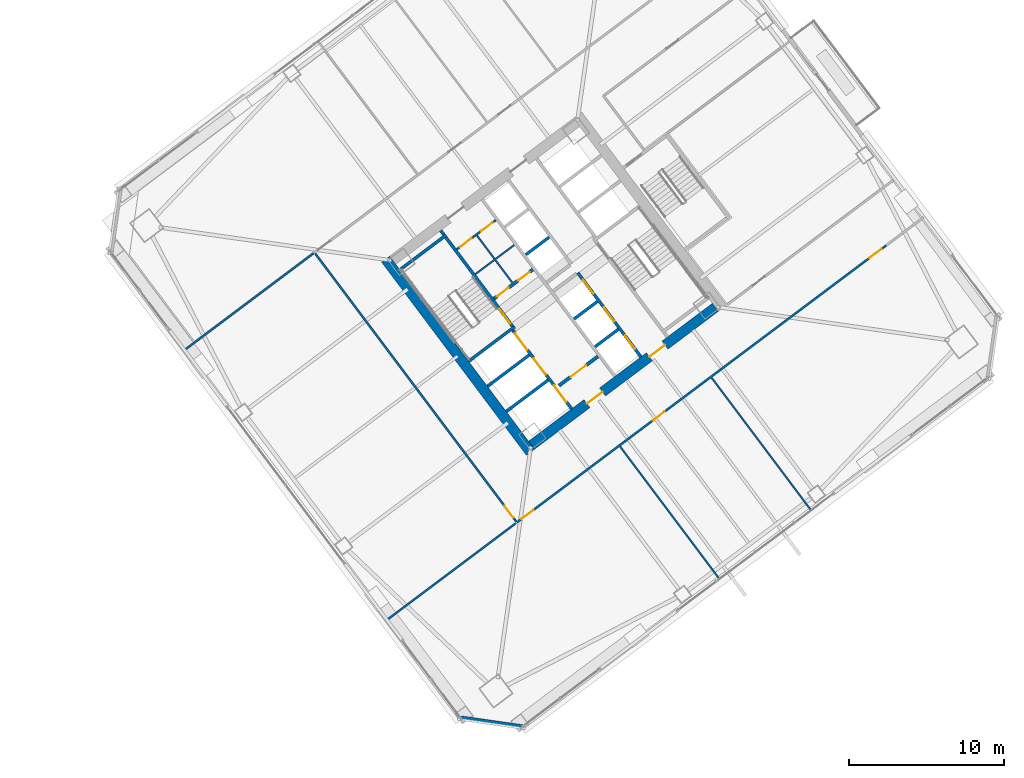
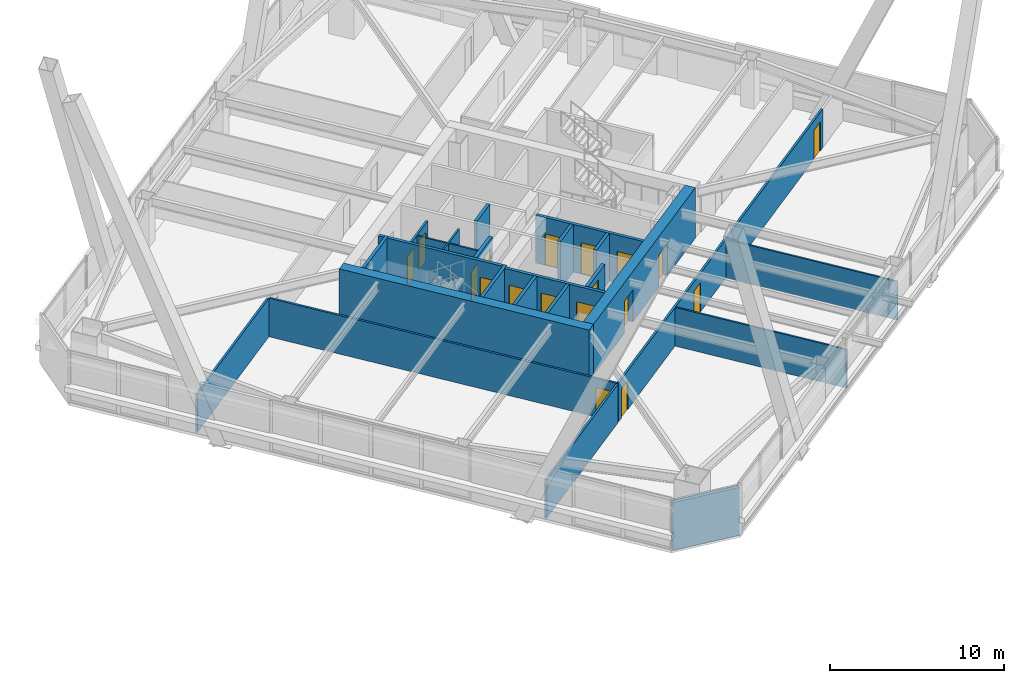
# One storey, part 64 of 75: 24 walls, 18 doors, 18 openings.
"""IFC4 building model written with IfcOpenShell, lengths in metres."""

from ifc_helpers import new_model, si_unit, direction, frame, frame_2d, origin, place, context, subcontext, project, spatial, rectangle, extrude, material, layer, layer_set, type_object, element, fill, save


model = new_model("IFC4")

# Units and contexts
model_context = context("Model", 3, precision=1e-05, world=origin(), true_north=direction((0.0, 1.0)))
body_context = subcontext(model_context, "Body", "Model", "MODEL_VIEW")
ifc_project = project(units=[si_unit("LENGTHUNIT", "METRE"), si_unit("AREAUNIT", "SQUARE_METRE"), si_unit("VOLUMEUNIT", "CUBIC_METRE"), si_unit("PLANEANGLEUNIT", "RADIAN"), si_unit("MASSUNIT", "GRAM", prefix="KILO")], contexts=[model_context])

# Site, building, storey
site_placement = place(None, origin())
site = spatial("IfcSite", under=ifc_project, at=site_placement, CompositionType="ELEMENT")
building_placement = place(site_placement, origin())
building = spatial("IfcBuilding", under=site, at=building_placement, Name="Tashvorn Skyway Center", CompositionType="ELEMENT")
storey_placement = place(building_placement, frame((0.0, 0.0, 45.89990234375)))
storey = spatial("IfcBuildingStorey", under=building, at=storey_placement, Name="L11", CompositionType="ELEMENT", Elevation=45.89990234375)

# Wall
ifc_material_1 = material(Name="Concrete C60/75", Category="concrete")
ifc_layer_1 = layer(ifc_material_1, 0.64990234375)
ifc_layer_set_1 = layer_set([ifc_layer_1], Name="Concrete C60/75")
wall_type_1 = type_object("IfcWallType", Name="WALL-CORE-650", PredefinedType="SHEAR", material=ifc_layer_set_1)
wall_1_placement = place(storey_placement, frame((112.47607421875, 21.10693359375, 0.0), z_axis=(0.0, 0.0, 1.0), x_axis=(-0.600005007985, 0.799996243986, 0.0)))
element("IfcWall", 1, at=wall_1_placement, inside=storey, type_object=wall_type_1, Name="Tower 2 L11 West Core Shear Wall", PredefinedType="SHEAR", context=body_context, shape_type="SweptSolid", body=[
    extrude(rectangle(XDim=15.60009765625, YDim=0.64990234375, at=frame_2d((7.800048828125, 0.0))), origin(), (0.0, 0.0, 1.0), 3.550048828125),
])

# Wall, openings, doors
wall_2_placement = place(storey_placement, frame((124.428955078125, 30.47802734375, 0.0), z_axis=(0.0, 0.0, 1.0), x_axis=(-0.799998028465, -0.600002628705, 0.0)))
wall_2 = element("IfcWall", 2, at=wall_2_placement, inside=storey, type_object=wall_type_1, Name="Tower 2 L11 South Core Shear Wall", PredefinedType="SHEAR", context=body_context, shape_type="SweptSolid", body=[
    extrude(rectangle(XDim=14.85986328125, YDim=0.64990234375, at=frame_2d((7.429931640625, 0.0))), origin(), (0.0, 0.0, 1.0), 3.550048828125),
])
opening_1_placement = place(wall_2_placement, frame((9.1298828125, 0.0, 0.0)))
opening_1 = element("IfcOpeningElement", 3, at=opening_1_placement, cuts=wall_2, Name="Opening D-FFL-1250", PredefinedType="OPENING", context=body_context, shape_type="SweptSolid", body=[
    extrude(rectangle(XDim=1.25, YDim=2.25, at=frame_2d((0.625, 1.125))), frame((0.0, 0.3349609375, 0.0), z_axis=(0.0, -1.0, 0.0), x_axis=(1.0, 0.0, 0.0)), (0.0, 0.0, 1.0), 0.669921875),
])
opening_2_placement = place(wall_2_placement, frame((4.080078125, 0.0, 0.0)))
opening_2 = element("IfcOpeningElement", 4, at=opening_2_placement, cuts=wall_2, Name="Opening D-FFL-1250", PredefinedType="OPENING", context=body_context, shape_type="SweptSolid", body=[
    extrude(rectangle(XDim=1.25, YDim=2.25, at=frame_2d((0.625, 1.125))), frame((0.0, 0.3349609375, 0.0), z_axis=(0.0, -1.0, 0.0), x_axis=(1.0, 0.0, 0.0)), (0.0, 0.0, 1.0), 0.669921875),
])
ifc_material_2 = material(Name="Hollow galvanized steel fire door assembly", Category="steel")
door_type_1 = type_object("IfcDoorType", Name="DOOR-FFL-1250", OperationType="NOTDEFINED", PredefinedType="DOOR", material=ifc_material_2)
door_1_placement = place(opening_1_placement, origin())
door_1 = element("IfcDoor", 5, at=door_1_placement, inside=storey, type_object=door_type_1, Name="Tower 2 L11 Core South Firefighting Exit Door", OperationType="SINGLE_SWING_LEFT", OverallHeight=2.25, OverallWidth=1.25, PredefinedType="DOOR", context=body_context, shape_type="SweptSolid", body=[
    extrude(rectangle(XDim=1.25, YDim=2.25, at=frame_2d((0.625, 1.125))), frame((0.0, 0.02490234375, 0.0), z_axis=(0.0, -1.0, 0.0), x_axis=(1.0, 0.0, 0.0)), (0.0, 0.0, 1.0), 0.050048828125),
])
fill(opening_1, door_1)
door_2_placement = place(opening_2_placement, origin())
door_2 = element("IfcDoor", 6, at=door_2_placement, inside=storey, type_object=door_type_1, Name="Tower 2 L11 Core South Lift Lobby Door", OperationType="SINGLE_SWING_RIGHT", OverallHeight=2.25, OverallWidth=1.25, PredefinedType="DOOR", context=body_context, shape_type="SweptSolid", body=[
    extrude(rectangle(XDim=1.25, YDim=2.25, at=frame_2d((0.625, 1.125))), frame((0.0, 0.02490234375, 0.0), z_axis=(0.0, -1.0, 0.0), x_axis=(1.0, 0.0, 0.0)), (0.0, 0.0, 1.0), 0.050048828125),
])
fill(opening_2, door_2)

# Wall
ifc_material_3 = material(Name="Precast concrete C40/50", Category="concrete")
ifc_layer_2 = layer(ifc_material_3, 0.280029296875)
ifc_layer_set_2 = layer_set([ifc_layer_2], Name="Precast concrete C40/50")
wall_type_2 = type_object("IfcWallType", Name="WALL-EXT-280", PredefinedType="SOLIDWALL", material=ifc_layer_set_2)
wall_3_placement = place(storey_placement, frame((111.97998046875, 3.360107421875, 0.0), z_axis=(0.0, 0.0, 1.0), x_axis=(-0.989955445613, 0.14137968631, 0.0)))
element("IfcWall", 7, at=wall_3_placement, inside=storey, type_object=wall_type_2, Name="Tower 2 L11 SW Precast Chamfer Wall", PredefinedType="SOLIDWALL", context=body_context, shape_type="SweptSolid", body=[
    extrude(rectangle(XDim=4.101318359375, YDim=0.280029296875, at=frame_2d((2.05078125, 0.0))), origin(), (0.0, 0.0, 1.0), 3.35009765625),
])

# Wall, openings, doors
ifc_material_4 = material(Name="Concrete C40/50", Category="concrete")
ifc_layer_3 = layer(ifc_material_4, 0.219970703125)
ifc_layer_set_3 = layer_set([ifc_layer_3], Name="Concrete C40/50")
wall_type_3 = type_object("IfcWallType", Name="WALL-FFL-220", PredefinedType="SOLIDWALL", material=ifc_layer_set_3)
wall_4_placement = place(storey_placement, frame((110.10400390625, 31.028076171875, 0.0), z_axis=(0.0, 0.0, 1.0), x_axis=(0.800018601094, 0.59997519774, 0.0)))
wall_4 = element("IfcWall", 8, at=wall_4_placement, inside=storey, type_object=wall_type_3, Name="Tower 2 L11 Firefighting Lobby North Wall", PredefinedType="SOLIDWALL", context=body_context, shape_type="SweptSolid", body=[
    extrude(rectangle(XDim=3.14990234375, YDim=0.219970703125, at=frame_2d((1.574951171875, 0.0))), origin(), (0.0, 0.0, 1.0), 2.703125),
])
opening_3_placement = place(wall_4_placement, frame((0.25, 0.0, 0.0)))
opening_3 = element("IfcOpeningElement", 9, at=opening_3_placement, cuts=wall_4, Name="Opening D-RT-950", PredefinedType="OPENING", context=body_context, shape_type="SweptSolid", body=[
    extrude(rectangle(XDim=0.949951171875, YDim=2.050048828125, at=frame_2d((0.47509765625, 1.02490234375))), frame((0.0, 0.119873046875, 0.0), z_axis=(0.0, -1.0, 0.0), x_axis=(1.0, 0.0, 0.0)), (0.0, 0.0, 1.0), 0.239990234375),
])
opening_4_placement = place(wall_4_placement, frame((1.949951171875, 0.0, 0.0)))
opening_4 = element("IfcOpeningElement", 10, at=opening_4_placement, cuts=wall_4, Name="Opening D-RT-950", PredefinedType="OPENING", context=body_context, shape_type="SweptSolid", body=[
    extrude(rectangle(XDim=0.949951171875, YDim=2.050048828125, at=frame_2d((0.47509765625, 1.02490234375))), frame((0.0, 0.119873046875, 0.0), z_axis=(0.0, -1.0, 0.0), x_axis=(1.0, 0.0, 0.0)), (0.0, 0.0, 1.0), 0.239990234375),
])
door_type_2 = type_object("IfcDoorType", Name="DOOR-RATED-950", OperationType="NOTDEFINED", PredefinedType="DOOR", material=ifc_material_2)
door_3_placement = place(opening_3_placement, origin())
door_3 = element("IfcDoor", 11, at=door_3_placement, inside=storey, type_object=door_type_2, Name="Tower 2 L11 Core Mail Room Door", OperationType="SINGLE_SWING_LEFT", OverallHeight=2.050048828125, OverallWidth=0.949951171875, PredefinedType="DOOR", context=body_context, shape_type="SweptSolid", body=[
    extrude(rectangle(XDim=0.949951171875, YDim=2.050048828125, at=frame_2d((0.47509765625, 1.02490234375))), frame((0.0, 0.02490234375, 0.0), z_axis=(0.0, -1.0, 0.0), x_axis=(1.0, 0.0, 0.0)), (0.0, 0.0, 1.0), 0.050048828125),
])
fill(opening_3, door_3)
door_4_placement = place(opening_4_placement, origin())
door_4 = element("IfcDoor", 12, at=door_4_placement, inside=storey, type_object=door_type_2, Name="Tower 2 L11 Core Supply Closet Door", OperationType="SINGLE_SWING_RIGHT", OverallHeight=2.050048828125, OverallWidth=0.949951171875, PredefinedType="DOOR", context=body_context, shape_type="SweptSolid", body=[
    extrude(rectangle(XDim=0.949951171875, YDim=2.050048828125, at=frame_2d((0.47509765625, 1.02490234375))), frame((0.0, 0.02490234375, 0.0), z_axis=(0.0, -1.0, 0.0), x_axis=(1.0, 0.0, 0.0)), (0.0, 0.0, 1.0), 0.050048828125),
])
fill(opening_4, door_4)

# Wall, opening, door
wall_5_placement = place(storey_placement, frame((114.31591796875, 25.412109375, 0.0), z_axis=(0.0, 0.0, 1.0), x_axis=(0.800018601094, 0.59997519774, 0.0)))
wall_5 = element("IfcWall", 13, at=wall_5_placement, inside=storey, type_object=wall_type_3, Name="Tower 2 L11 Firefighting Lobby South Wall", PredefinedType="SOLIDWALL", context=body_context, shape_type="SweptSolid", body=[
    extrude(rectangle(XDim=3.14990234375, YDim=0.219970703125, at=frame_2d((1.574951171875, 0.0))), origin(), (0.0, 0.0, 1.0), 2.703125),
])
opening_5_placement = place(wall_5_placement, frame((0.949951171875, 0.0, 0.0)))
opening_5 = element("IfcOpeningElement", 14, at=opening_5_placement, cuts=wall_5, Name="Opening D-FFL-1250", PredefinedType="OPENING", context=body_context, shape_type="SweptSolid", body=[
    extrude(rectangle(XDim=1.25, YDim=2.25, at=frame_2d((0.625, 1.125))), frame((0.0, 0.119873046875, 0.0), z_axis=(0.0, -1.0, 0.0), x_axis=(1.0, 0.0, 0.0)), (0.0, 0.0, 1.0), 0.239990234375),
])
door_5_placement = place(opening_5_placement, origin())
door_5 = element("IfcDoor", 15, at=door_5_placement, inside=storey, type_object=door_type_1, Name="Tower 2 L11 Firefighting Lobby Egress Door", OperationType="SINGLE_SWING_LEFT", OverallHeight=2.25, OverallWidth=1.25, PredefinedType="DOOR", context=body_context, shape_type="SweptSolid", body=[
    extrude(rectangle(XDim=1.25, YDim=2.25, at=frame_2d((0.625, 1.125))), frame((0.0, 0.02490234375, 0.0), z_axis=(0.0, -1.0, 0.0), x_axis=(1.0, 0.0, 0.0)), (0.0, 0.0, 1.0), 0.050048828125),
])
fill(opening_5, door_5)

# Walls
ifc_material_5 = material(Name="Gypsum board on cold-formed steel stud framing", Category="steel")
ifc_layer_4 = layer(ifc_material_5, 0.110107421875)
ifc_layer_set_4 = layer_set([ifc_layer_4], Name="Gypsum board on cold-formed steel stud framing")
wall_type_4 = type_object("IfcWallType", Name="WALL-PART-110", PredefinedType="PARTITIONING", material=ifc_layer_set_4)
for number, where, z_axis, x_axis, name in (
    (16, (124.68798828125, 12.916015625, 0.0), (0.0, 0.0, 1.0), (-0.599992698573, 0.800005476018, 0.0), "Tower 2 L11 South Suite Partition 1"),
    (17, (130.60791015625, 17.35595703125, 0.0), (0.0, 0.0, 1.0), (-0.599992698573, 0.800005476018, 0.0), "Tower 2 L11 South Suite Partition 2"),
):
    element("IfcWall", number, at=place(storey_placement, frame(where, z_axis=z_axis, x_axis=x_axis)), inside=storey, type_object=wall_type_4, Name=name, PredefinedType="PARTITIONING", context=body_context, shape_type="SweptSolid", body=[
        extrude(rectangle(XDim=10.699951171875, YDim=0.110107421875, at=frame_2d((5.35009765625, 0.0))), origin(), (0.0, 0.0, 1.0), 2.703125),
    ])

# Wall, openings, doors
ifc_layer_5 = layer(ifc_material_5, 0.135009765625)
ifc_layer_set_5 = layer_set([ifc_layer_5], Name="Gypsum board on cold-formed steel stud framing")
wall_type_5 = type_object("IfcWallType", Name="WALL-PART-135", PredefinedType="PARTITIONING", material=ifc_layer_set_5)
wall_6_placement = place(storey_placement, frame((135.4599609375, 34.469970703125, 0.0), z_axis=(0.0, 0.0, 1.0), x_axis=(-0.800000982127, -0.599998690494, 0.0)))
wall_6 = element("IfcWall", 18, at=wall_6_placement, inside=storey, type_object=wall_type_5, Name="Tower 2 L11 South Suite Wall", PredefinedType="PARTITIONING", context=body_context, shape_type="SweptSolid", body=[
    extrude(rectangle(XDim=29.830078125, YDim=0.135009765625, at=frame_2d((14.9150390625, 0.0))), origin(), (0.0, 0.0, 1.0), 2.703125),
])
opening_6_placement = place(wall_6_placement, frame((28.5, 0.0, 0.0)))
opening_6 = element("IfcOpeningElement", 19, at=opening_6_placement, cuts=wall_6, Name="Opening D-INT-950", PredefinedType="OPENING", context=body_context, shape_type="SweptSolid", body=[
    extrude(rectangle(XDim=0.949951171875, YDim=2.050048828125, at=frame_2d((0.47509765625, 1.02490234375))), frame((0.0, 0.077392578125, 0.0), z_axis=(0.0, -1.0, 0.0), x_axis=(1.0, 0.0, 0.0)), (0.0, 0.0, 1.0), 0.155029296875),
])
opening_7_placement = place(wall_6_placement, frame((17.892333984375, 0.0, 0.0)))
opening_7 = element("IfcOpeningElement", 20, at=opening_7_placement, cuts=wall_6, Name="Opening D-INT-950", PredefinedType="OPENING", context=body_context, shape_type="SweptSolid", body=[
    extrude(rectangle(XDim=0.949951171875, YDim=2.050048828125, at=frame_2d((0.47509765625, 1.02490234375))), frame((0.0, 0.077392578125, 0.0), z_axis=(0.0, -1.0, 0.0), x_axis=(1.0, 0.0, 0.0)), (0.0, 0.0, 1.0), 0.155029296875),
])
opening_8_placement = place(wall_6_placement, frame((0.3798828125, 0.0, 0.0)))
opening_8 = element("IfcOpeningElement", 21, at=opening_8_placement, cuts=wall_6, Name="Opening D-INT-950", PredefinedType="OPENING", context=body_context, shape_type="SweptSolid", body=[
    extrude(rectangle(XDim=0.949951171875, YDim=2.050048828125, at=frame_2d((0.47509765625, 1.02490234375))), frame((0.0, 0.077392578125, 0.0), z_axis=(0.0, -1.0, 0.0), x_axis=(1.0, 0.0, 0.0)), (0.0, 0.0, 1.0), 0.155029296875),
])
ifc_material_6 = material(Name="Solid-core architectural oak veneer door")
door_type_3 = type_object("IfcDoorType", Name="DOOR-INT-950", OperationType="NOTDEFINED", PredefinedType="DOOR", material=ifc_material_6)
door_6_placement = place(opening_6_placement, origin())
door_6 = element("IfcDoor", 22, at=door_6_placement, inside=storey, type_object=door_type_3, Name="Tower 2 L11 Research Library Door", OperationType="SINGLE_SWING_LEFT", OverallHeight=2.050048828125, OverallWidth=0.949951171875, PredefinedType="DOOR", context=body_context, shape_type="SweptSolid", body=[
    extrude(rectangle(XDim=0.949951171875, YDim=2.050048828125, at=frame_2d((0.47509765625, 1.02490234375))), frame((0.0, 0.02490234375, 0.0), z_axis=(0.0, -1.0, 0.0), x_axis=(1.0, 0.0, 0.0)), (0.0, 0.0, 1.0), 0.050048828125),
])
fill(opening_6, door_6)
door_7_placement = place(opening_7_placement, origin())
door_7 = element("IfcDoor", 23, at=door_7_placement, inside=storey, type_object=door_type_3, Name="Tower 2 L11 Reading Lounge Door", OperationType="SINGLE_SWING_RIGHT", OverallHeight=2.050048828125, OverallWidth=0.949951171875, PredefinedType="DOOR", context=body_context, shape_type="SweptSolid", body=[
    extrude(rectangle(XDim=0.949951171875, YDim=2.050048828125, at=frame_2d((0.47509765625, 1.02490234375))), frame((0.0, 0.02490234375, 0.0), z_axis=(0.0, -1.0, 0.0), x_axis=(1.0, 0.0, 0.0)), (0.0, 0.0, 1.0), 0.050048828125),
])
fill(opening_7, door_7)
door_8_placement = place(opening_8_placement, origin())
door_8 = element("IfcDoor", 24, at=door_8_placement, inside=storey, type_object=door_type_3, Name="Tower 2 L11 Reading Lounge Door", OperationType="SINGLE_SWING_LEFT", OverallHeight=2.050048828125, OverallWidth=0.949951171875, PredefinedType="DOOR", context=body_context, shape_type="SweptSolid", body=[
    extrude(rectangle(XDim=0.949951171875, YDim=2.050048828125, at=frame_2d((0.47509765625, 1.02490234375))), frame((0.0, 0.02490234375, 0.0), z_axis=(0.0, -1.0, 0.0), x_axis=(1.0, 0.0, 0.0)), (0.0, 0.0, 1.0), 0.050048828125),
])
fill(opening_8, door_8)

# Wall, opening, door
wall_7_placement = place(storey_placement, frame((111.548095703125, 16.635986328125, 0.0), z_axis=(0.0, 0.0, 1.0), x_axis=(-0.600003610192, 0.799997292343, 0.0)))
wall_7 = element("IfcWall", 25, at=wall_7_placement, inside=storey, type_object=wall_type_5, Name="Tower 2 L11 West Inner Suite Wall", PredefinedType="PARTITIONING", context=body_context, shape_type="SweptSolid", body=[
    extrude(rectangle(XDim=21.64013671875, YDim=0.135009765625, at=frame_2d((10.820068359375, 0.0))), origin(), (0.0, 0.0, 1.0), 2.703125),
])
opening_9_placement = place(wall_7_placement, frame((0.300048828125, 0.0, 0.0)))
opening_9 = element("IfcOpeningElement", 26, at=opening_9_placement, cuts=wall_7, Name="Opening D-INT-950", PredefinedType="OPENING", context=body_context, shape_type="SweptSolid", body=[
    extrude(rectangle(XDim=0.949951171875, YDim=2.050048828125, at=frame_2d((0.47509765625, 1.02490234375))), frame((0.0, 0.077392578125, 0.0), z_axis=(0.0, -1.0, 0.0), x_axis=(1.0, 0.0, 0.0)), (0.0, 0.0, 1.0), 0.155029296875),
])
door_9_placement = place(opening_9_placement, origin())
door_9 = element("IfcDoor", 27, at=door_9_placement, inside=storey, type_object=door_type_3, Name="Tower 2 L11 Design Studio Door", OperationType="SINGLE_SWING_RIGHT", OverallHeight=2.050048828125, OverallWidth=0.949951171875, PredefinedType="DOOR", context=body_context, shape_type="SweptSolid", body=[
    extrude(rectangle(XDim=0.949951171875, YDim=2.050048828125, at=frame_2d((0.47509765625, 1.02490234375))), frame((0.0, 0.02490234375, 0.0), z_axis=(0.0, -1.0, 0.0), x_axis=(1.0, 0.0, 0.0)), (0.0, 0.0, 1.0), 0.050048828125),
])
fill(opening_9, door_9)

# Walls
wall_8_placement = place(storey_placement, frame((98.451904296875, 33.964111328125, 0.0), z_axis=(0.0, 0.0, 1.0), x_axis=(-0.799988753532, -0.600014994998, 0.0)))
element("IfcWall", 28, at=wall_8_placement, inside=storey, type_object=wall_type_5, Name="Tower 2 L11 West Suite North Wall", PredefinedType="PARTITIONING", context=body_context, shape_type="SweptSolid", body=[
    extrude(rectangle(XDim=10.420166015625, YDim=0.135009765625, at=frame_2d((5.2099609375, 0.0))), origin(), (0.0, 0.0, 1.0), 2.703125),
])
wall_9_placement = place(storey_placement, frame((103.196044921875, 10.27197265625, 0.0), z_axis=(0.0, 0.0, 1.0), x_axis=(0.8, 0.6, 0.0)))
element("IfcWall", 29, at=wall_9_placement, inside=storey, type_object=wall_type_5, Name="Tower 2 L11 West Suite South Wall", PredefinedType="PARTITIONING", context=body_context, shape_type="SweptSolid", body=[
    extrude(rectangle(XDim=10.419921875, YDim=0.135009765625, at=frame_2d((5.2099609375, 0.0))), origin(), (0.0, 0.0, 1.0), 2.703125),
])
ifc_layer_6 = layer(ifc_material_5, 0.110107421875)
ifc_layer_set_6 = layer_set([ifc_layer_6], Name="Gypsum board on cold-formed steel stud framing")
wall_type_6 = type_object("IfcWallType", Name="WALL-RATED-110", PredefinedType="PARTITIONING", material=ifc_layer_set_6)
wall_10_placement = place(storey_placement, frame((111.2958984375, 32.072021484375, 0.0), z_axis=(0.0, 0.0, 1.0), x_axis=(-0.59995887973, 0.800030838552, 0.0)))
element("IfcWall", 30, at=wall_10_placement, inside=storey, type_object=wall_type_6, Name="Tower 2 L11 Core Cross Vertical", PredefinedType="PARTITIONING", context=body_context, shape_type="SweptSolid", body=[
    extrude(rectangle(XDim=3.7998046875, YDim=0.110107421875, at=frame_2d((1.89990234375, 0.0))), origin(), (0.0, 0.0, 1.0), 2.703125),
])
wall_11_placement = place(storey_placement, frame((108.909912109375, 32.6201171875, 0.0), z_axis=(0.0, 0.0, 1.0), x_axis=(0.800018601094, 0.59997519774, 0.0)))
element("IfcWall", 31, at=wall_11_placement, inside=storey, type_object=wall_type_6, Name="Tower 2 L11 Core Cross Horizontal", PredefinedType="PARTITIONING", context=body_context, shape_type="SweptSolid", body=[
    extrude(rectangle(XDim=3.14990234375, YDim=0.110107421875, at=frame_2d((1.574951171875, 0.0))), origin(), (0.0, 0.0, 1.0), 2.703125),
])

# Wall, openings, doors
ifc_layer_7 = layer(ifc_material_5, 0.135009765625)
ifc_layer_set_7 = layer_set([ifc_layer_7], Name="Gypsum board on cold-formed steel stud framing")
wall_type_7 = type_object("IfcWallType", Name="WALL-RATED-135", PredefinedType="PARTITIONING", material=ifc_layer_set_7)
wall_12_placement = place(storey_placement, frame((107.7099609375, 34.219970703125, 0.0), z_axis=(0.0, 0.0, 1.0), x_axis=(0.799981399002, 0.60002480053, 0.0)))
wall_12 = element("IfcWall", 32, at=wall_12_placement, inside=storey, type_object=wall_type_7, Name="Tower 2 L11 Core Service Lobby Wall", PredefinedType="PARTITIONING", context=body_context, shape_type="SweptSolid", body=[
    extrude(rectangle(XDim=3.150146484375, YDim=0.135009765625, at=frame_2d((1.5751953125, 0.0))), origin(), (0.0, 0.0, 1.0), 2.703125),
])
opening_10_placement = place(wall_12_placement, frame((0.25, 0.0, 0.0)))
opening_10 = element("IfcOpeningElement", 33, at=opening_10_placement, cuts=wall_12, Name="Opening D-RT-950", PredefinedType="OPENING", context=body_context, shape_type="SweptSolid", body=[
    extrude(rectangle(XDim=0.949951171875, YDim=2.050048828125, at=frame_2d((0.47509765625, 1.02490234375))), frame((0.0, 0.077392578125, 0.0), z_axis=(0.0, -1.0, 0.0), x_axis=(1.0, 0.0, 0.0)), (0.0, 0.0, 1.0), 0.155029296875),
])
opening_11_placement = place(wall_12_placement, frame((1.949951171875, 0.0, 0.0)))
opening_11 = element("IfcOpeningElement", 34, at=opening_11_placement, cuts=wall_12, Name="Opening D-RT-950", PredefinedType="OPENING", context=body_context, shape_type="SweptSolid", body=[
    extrude(rectangle(XDim=0.949951171875, YDim=2.050048828125, at=frame_2d((0.47509765625, 1.02490234375))), frame((0.0, 0.077392578125, 0.0), z_axis=(0.0, -1.0, 0.0), x_axis=(1.0, 0.0, 0.0)), (0.0, 0.0, 1.0), 0.155029296875),
])
door_10_placement = place(opening_10_placement, origin())
door_10 = element("IfcDoor", 35, at=door_10_placement, inside=storey, type_object=door_type_2, Name="Tower 2 L11 Core Cleaner Store Door", OperationType="SINGLE_SWING_LEFT", OverallHeight=2.050048828125, OverallWidth=0.949951171875, PredefinedType="DOOR", context=body_context, shape_type="SweptSolid", body=[
    extrude(rectangle(XDim=0.949951171875, YDim=2.050048828125, at=frame_2d((0.47509765625, 1.02490234375))), frame((0.0, 0.02490234375, 0.0), z_axis=(0.0, -1.0, 0.0), x_axis=(1.0, 0.0, 0.0)), (0.0, 0.0, 1.0), 0.050048828125),
])
fill(opening_10, door_10)
door_11_placement = place(opening_11_placement, origin())
door_11 = element("IfcDoor", 36, at=door_11_placement, inside=storey, type_object=door_type_2, Name="Tower 2 L11 Core Accessible WC Door", OperationType="SINGLE_SWING_RIGHT", OverallHeight=2.050048828125, OverallWidth=0.949951171875, PredefinedType="DOOR", context=body_context, shape_type="SweptSolid", body=[
    extrude(rectangle(XDim=0.949951171875, YDim=2.050048828125, at=frame_2d((0.47509765625, 1.02490234375))), frame((0.0, 0.02490234375, 0.0), z_axis=(0.0, -1.0, 0.0), x_axis=(1.0, 0.0, 0.0)), (0.0, 0.0, 1.0), 0.050048828125),
])
fill(opening_11, door_11)

# Walls
ifc_layer_8 = layer(ifc_material_4, 0.199951171875)
ifc_layer_set_8 = layer_set([ifc_layer_8], Name="Concrete C40/50")
wall_type_8 = type_object("IfcWallType", Name="WALL-SHAFT-200", PredefinedType="SOLIDWALL", material=ifc_layer_set_8)
for number, where, z_axis, x_axis, name in (
    (37, (110.906005859375, 23.741943359375, 0.0), (0.0, 0.0, 1.0), (0.8, 0.6, 0.0), "Tower 2 L11 FSAE Shaft Divider"),
    (38, (109.68798828125, 25.365966796875, 0.0), (0.0, 0.0, 1.0), (0.8, 0.6, 0.0), "Tower 2 L11 FSAE Shaft Divider"),
):
    element("IfcWall", number, at=place(storey_placement, frame(where, z_axis=z_axis, x_axis=x_axis)), inside=storey, type_object=wall_type_8, Name=name, PredefinedType="SOLIDWALL", context=body_context, shape_type="SweptSolid", body=[
        extrude(rectangle(XDim=3.380126953125, YDim=0.199951171875, at=frame_2d((1.68994140625, 0.0))), origin(), (0.0, 0.0, 1.0), 3.35009765625),
    ])

# Wall, openings, doors
wall_13_placement = place(storey_placement, frame((119.610107421875, 27.27001953125, 0.0), z_axis=(0.0, 0.0, 1.0), x_axis=(-0.600011488909, 0.79999138319, 0.0)))
wall_13 = element("IfcWall", 39, at=wall_13_placement, inside=storey, type_object=wall_type_8, Name="Tower 2 L11 Low-Rise Core Wall", PredefinedType="SOLIDWALL", context=body_context, shape_type="SweptSolid", body=[
    extrude(rectangle(XDim=6.800048828125, YDim=0.199951171875, at=frame_2d((3.39990234375, 0.0))), origin(), (0.0, 0.0, 1.0), 3.35009765625),
])
opening_12_placement = place(wall_13_placement, frame((0.625, 0.0, 0.0)))
opening_12 = element("IfcOpeningElement", 40, at=opening_12_placement, cuts=wall_13, Name="Opening LD-LR-T2-1-L11", PredefinedType="OPENING", context=body_context, shape_type="SweptSolid", body=[
    extrude(rectangle(XDim=1.10009765625, YDim=2.199951171875, at=frame_2d((0.550048828125, 1.10009765625))), frame((0.0, 0.10986328125, 0.0), z_axis=(0.0, -1.0, 0.0), x_axis=(1.0, 0.0, 0.0)), (0.0, 0.0, 1.0), 0.219970703125),
])
opening_13_placement = place(wall_13_placement, frame((2.875, 0.0, 0.0)))
opening_13 = element("IfcOpeningElement", 41, at=opening_13_placement, cuts=wall_13, Name="Opening LD-LR-T2-2-L11", PredefinedType="OPENING", context=body_context, shape_type="SweptSolid", body=[
    extrude(rectangle(XDim=1.10009765625, YDim=2.199951171875, at=frame_2d((0.550048828125, 1.10009765625))), frame((0.0, 0.10986328125, 0.0), z_axis=(0.0, -1.0, 0.0), x_axis=(1.0, 0.0, 0.0)), (0.0, 0.0, 1.0), 0.219970703125),
])
opening_14_placement = place(wall_13_placement, frame((5.125, 0.0, 0.0)))
opening_14 = element("IfcOpeningElement", 42, at=opening_14_placement, cuts=wall_13, Name="Opening LD-LR-T2-3-L11", PredefinedType="OPENING", context=body_context, shape_type="SweptSolid", body=[
    extrude(rectangle(XDim=1.10009765625, YDim=2.199951171875, at=frame_2d((0.550048828125, 1.10009765625))), frame((0.0, 0.10986328125, 0.0), z_axis=(0.0, -1.0, 0.0), x_axis=(1.0, 0.0, 0.0)), (0.0, 0.0, 1.0), 0.219970703125),
])
ifc_material_7 = material(Name="Stainless steel landing door", Category="steel")
door_type_4 = type_object("IfcDoorType", Name="DOOR-LIFT-1100", OperationType="SLIDING_TO_LEFT", PredefinedType="DOOR", material=ifc_material_7)
door_12_placement = place(opening_12_placement, origin())
door_12 = element("IfcDoor", 43, at=door_12_placement, inside=storey, type_object=door_type_4, Name="Lift LR-T2-1 L11 Landing Door", OperationType="SLIDING_TO_LEFT", OverallHeight=2.199951171875, OverallWidth=1.10009765625, PredefinedType="DOOR", context=body_context, shape_type="SweptSolid", body=[
    extrude(rectangle(XDim=1.10009765625, YDim=2.199951171875, at=frame_2d((0.550048828125, 1.10009765625))), frame((0.0, 0.02490234375, 0.0), z_axis=(0.0, -1.0, 0.0), x_axis=(1.0, 0.0, 0.0)), (0.0, 0.0, 1.0), 0.050048828125),
])
fill(opening_12, door_12)
door_13_placement = place(opening_13_placement, origin())
door_13 = element("IfcDoor", 44, at=door_13_placement, inside=storey, type_object=door_type_4, Name="Lift LR-T2-2 L11 Landing Door", OperationType="SLIDING_TO_LEFT", OverallHeight=2.199951171875, OverallWidth=1.10009765625, PredefinedType="DOOR", context=body_context, shape_type="SweptSolid", body=[
    extrude(rectangle(XDim=1.10009765625, YDim=2.199951171875, at=frame_2d((0.550048828125, 1.10009765625))), frame((0.0, 0.02490234375, 0.0), z_axis=(0.0, -1.0, 0.0), x_axis=(1.0, 0.0, 0.0)), (0.0, 0.0, 1.0), 0.050048828125),
])
fill(opening_13, door_13)
door_14_placement = place(opening_14_placement, origin())
door_14 = element("IfcDoor", 45, at=door_14_placement, inside=storey, type_object=door_type_4, Name="Lift LR-T2-3 L11 Landing Door", OperationType="SLIDING_TO_LEFT", OverallHeight=2.199951171875, OverallWidth=1.10009765625, PredefinedType="DOOR", context=body_context, shape_type="SweptSolid", body=[
    extrude(rectangle(XDim=1.10009765625, YDim=2.199951171875, at=frame_2d((0.550048828125, 1.10009765625))), frame((0.0, 0.02490234375, 0.0), z_axis=(0.0, -1.0, 0.0), x_axis=(1.0, 0.0, 0.0)), (0.0, 0.0, 1.0), 0.050048828125),
])
fill(opening_14, door_14)

# Walls
wall_14_placement = place(storey_placement, frame((116.64599609375, 27.922119140625, 0.0), z_axis=(0.0, 0.0, 1.0), x_axis=(0.8, 0.6, 0.0)))
element("IfcWall", 46, at=wall_14_placement, inside=storey, type_object=wall_type_8, Name="Tower 2 L11 Low-Rise Shaft Divider", PredefinedType="SOLIDWALL", context=body_context, shape_type="SweptSolid", body=[
    extrude(rectangle(XDim=1.8798828125, YDim=0.199951171875, at=frame_2d((0.93994140625, 0.0))), origin(), (0.0, 0.0, 1.0), 3.35009765625),
])
wall_15_placement = place(storey_placement, frame((115.2958984375, 29.721923828125, 0.0), z_axis=(0.0, 0.0, 1.0), x_axis=(0.799984418148, 0.600020775241, 0.0)))
element("IfcWall", 47, at=wall_15_placement, inside=storey, type_object=wall_type_8, Name="Tower 2 L11 Low-Rise Shaft Divider", PredefinedType="SOLIDWALL", context=body_context, shape_type="SweptSolid", body=[
    extrude(rectangle(XDim=1.880126953125, YDim=0.199951171875, at=frame_2d((0.93994140625, 0.0))), origin(), (0.0, 0.0, 1.0), 3.35009765625),
])
wall_16_placement = place(storey_placement, frame((112.176025390625, 33.882080078125, 0.0), z_axis=(0.0, 0.0, 1.0), x_axis=(0.8, 0.6, 0.0)))
element("IfcWall", 48, at=wall_16_placement, inside=storey, type_object=wall_type_8, Name="Tower 2 L11 Mid-Rise Shaft Divider", PredefinedType="SOLIDWALL", context=body_context, shape_type="SweptSolid", body=[
    extrude(rectangle(XDim=1.8798828125, YDim=0.199951171875, at=frame_2d((0.93994140625, 0.0))), origin(), (0.0, 0.0, 1.0), 3.35009765625),
])

# Wall, opening, door
ifc_layer_9 = layer(ifc_material_4, 0.199951171875)
ifc_layer_set_9 = layer_set([ifc_layer_9], Name="Concrete C40/50")
wall_type_9 = type_object("IfcWallType", Name="WALL-STSHF-200", PredefinedType="SHEAR", material=ifc_layer_set_9)
wall_17_placement = place(storey_placement, frame((111.43994140625, 29.080078125, 0.0), z_axis=(0.0, 0.0, 1.0), x_axis=(-0.600009827119, 0.799992629566, 0.0)))
wall_17 = element("IfcWall", 49, at=wall_17_placement, inside=storey, type_object=wall_type_9, Name="Tower 2 L11 Stair 1 Enclosure Wall", PredefinedType="SHEAR", context=body_context, shape_type="SweptSolid", body=[
    extrude(rectangle(XDim=7.949951171875, YDim=0.199951171875, at=frame_2d((3.97509765625, 0.0))), origin(), (0.0, 0.0, 1.0), 3.35009765625),
])
opening_15_placement = place(wall_17_placement, frame((0.449951171875, 0.0, 0.0)))
opening_15 = element("IfcOpeningElement", 50, at=opening_15_placement, cuts=wall_17, Name="Opening D-ST-1150", PredefinedType="OPENING", context=body_context, shape_type="SweptSolid", body=[
    extrude(rectangle(XDim=1.14990234375, YDim=2.199951171875, at=frame_2d((0.574951171875, 1.10009765625))), frame((0.0, 0.10986328125, 0.0), z_axis=(0.0, -1.0, 0.0), x_axis=(1.0, 0.0, 0.0)), (0.0, 0.0, 1.0), 0.219970703125),
])
door_type_5 = type_object("IfcDoorType", Name="DOOR-STAIR-1150", OperationType="NOTDEFINED", PredefinedType="DOOR", material=ifc_material_2)
door_15_placement = place(opening_15_placement, origin())
door_15 = element("IfcDoor", 51, at=door_15_placement, inside=storey, type_object=door_type_5, Name="Tower 2 L11 Exit Stair 1 Door", OperationType="SINGLE_SWING_RIGHT", OverallHeight=2.199951171875, OverallWidth=1.14990234375, PredefinedType="DOOR", context=body_context, shape_type="SweptSolid", body=[
    extrude(rectangle(XDim=1.14990234375, YDim=2.199951171875, at=frame_2d((0.574951171875, 1.10009765625))), frame((0.0, 0.02490234375, 0.0), z_axis=(0.0, -1.0, 0.0), x_axis=(1.0, 0.0, 0.0)), (0.0, 0.0, 1.0), 0.050048828125),
])
fill(opening_15, door_15)

# Walls
for number, where, z_axis, x_axis, name in (
    (52, (108.47607421875, 26.98193359375, 0.0), (0.0, 0.0, 1.0), (0.799984290658, 0.600020945218, 0.0), "Tower 2 L11 Stair 1 South Wall"),
    (53, (104.035888671875, 32.902099609375, 0.0), (0.0, 0.0, 1.0), (0.800039270442, 0.59994763584, 0.0), "Tower 2 L11 Stair 1 North Wall"),
):
    element("IfcWall", number, at=place(storey_placement, frame(where, z_axis=z_axis, x_axis=x_axis)), inside=storey, type_object=wall_type_9, Name=name, PredefinedType="SHEAR", context=body_context, shape_type="SweptSolid", body=[
        extrude(rectangle(XDim=3.72998046875, YDim=0.199951171875, at=frame_2d((1.864990234375, 0.0))), origin(), (0.0, 0.0, 1.0), 3.35009765625),
    ])

# Wall, openings, doors
wall_18_placement = place(storey_placement, frame((115.1298828125, 23.909912109375, 0.0), z_axis=(0.0, 0.0, 1.0), x_axis=(-0.599975393228, 0.800018454488, 0.0)))
wall_18 = element("IfcWall", 54, at=wall_18_placement, inside=storey, type_object=wall_type_9, Name="Tower 2 L11 FSAE and Goods Shaft Front Wall", PredefinedType="SHEAR", context=body_context, shape_type="SweptSolid", body=[
    extrude(rectangle(XDim=6.349853515625, YDim=0.199951171875, at=frame_2d((3.1748046875, 0.0))), origin(), (0.0, 0.0, 1.0), 3.35009765625),
])
opening_16_placement = place(wall_18_placement, frame((4.77490234375, 0.0, 0.0)))
opening_16 = element("IfcOpeningElement", 55, at=opening_16_placement, cuts=wall_18, Name="Opening LD-FF-T2-1-L11", PredefinedType="OPENING", context=body_context, shape_type="SweptSolid", body=[
    extrude(rectangle(XDim=1.300048828125, YDim=2.25, at=frame_2d((0.64990234375, 1.125))), frame((0.0, 0.10986328125, 0.0), z_axis=(0.0, -1.0, 0.0), x_axis=(1.0, 0.0, 0.0)), (0.0, 0.0, 1.0), 0.219970703125),
])
opening_17_placement = place(wall_18_placement, frame((2.77490234375, 0.0, 0.0)))
opening_17 = element("IfcOpeningElement", 56, at=opening_17_placement, cuts=wall_18, Name="Opening LD-FF-T2-2-L11", PredefinedType="OPENING", context=body_context, shape_type="SweptSolid", body=[
    extrude(rectangle(XDim=1.300048828125, YDim=2.25, at=frame_2d((0.64990234375, 1.125))), frame((0.0, 0.10986328125, 0.0), z_axis=(0.0, -1.0, 0.0), x_axis=(1.0, 0.0, 0.0)), (0.0, 0.0, 1.0), 0.219970703125),
])
opening_18_placement = place(wall_18_placement, frame((0.574951171875, 0.0, 0.0)))
opening_18 = element("IfcOpeningElement", 57, at=opening_18_placement, cuts=wall_18, Name="Opening LD-GD-T2-1-L11", PredefinedType="OPENING", context=body_context, shape_type="SweptSolid", body=[
    extrude(rectangle(XDim=1.300048828125, YDim=2.25, at=frame_2d((0.64990234375, 1.125))), frame((0.0, 0.10986328125, 0.0), z_axis=(0.0, -1.0, 0.0), x_axis=(1.0, 0.0, 0.0)), (0.0, 0.0, 1.0), 0.219970703125),
])
ifc_material_8 = material(Name="Stainless steel heavy-duty landing door", Category="steel")
door_type_6 = type_object("IfcDoorType", Name="DOOR-LIFT-1300", OperationType="SLIDING_TO_LEFT", PredefinedType="DOOR", material=ifc_material_8)
door_16_placement = place(opening_16_placement, origin())
door_16 = element("IfcDoor", 58, at=door_16_placement, inside=storey, type_object=door_type_6, Name="Lift FF-T2-1 L11 Landing Door", OperationType="SLIDING_TO_LEFT", OverallHeight=2.25, OverallWidth=1.300048828125, PredefinedType="DOOR", context=body_context, shape_type="SweptSolid", body=[
    extrude(rectangle(XDim=1.300048828125, YDim=2.25, at=frame_2d((0.64990234375, 1.125))), frame((0.0, 0.02490234375, 0.0), z_axis=(0.0, -1.0, 0.0), x_axis=(1.0, 0.0, 0.0)), (0.0, 0.0, 1.0), 0.050048828125),
])
fill(opening_16, door_16)
door_17_placement = place(opening_17_placement, origin())
door_17 = element("IfcDoor", 59, at=door_17_placement, inside=storey, type_object=door_type_6, Name="Lift FF-T2-2 L11 Landing Door", OperationType="SLIDING_TO_LEFT", OverallHeight=2.25, OverallWidth=1.300048828125, PredefinedType="DOOR", context=body_context, shape_type="SweptSolid", body=[
    extrude(rectangle(XDim=1.300048828125, YDim=2.25, at=frame_2d((0.64990234375, 1.125))), frame((0.0, 0.02490234375, 0.0), z_axis=(0.0, -1.0, 0.0), x_axis=(1.0, 0.0, 0.0)), (0.0, 0.0, 1.0), 0.050048828125),
])
fill(opening_17, door_17)
door_18_placement = place(opening_18_placement, origin())
door_18 = element("IfcDoor", 60, at=door_18_placement, inside=storey, type_object=door_type_6, Name="Lift GD-T2-1 L11 Landing Door", OperationType="SLIDING_TO_LEFT", OverallHeight=2.25, OverallWidth=1.300048828125, PredefinedType="DOOR", context=body_context, shape_type="SweptSolid", body=[
    extrude(rectangle(XDim=1.300048828125, YDim=2.25, at=frame_2d((0.64990234375, 1.125))), frame((0.0, 0.02490234375, 0.0), z_axis=(0.0, -1.0, 0.0), x_axis=(1.0, 0.0, 0.0)), (0.0, 0.0, 1.0), 0.050048828125),
])
fill(opening_18, door_18)

save(model, "model.ifc")
